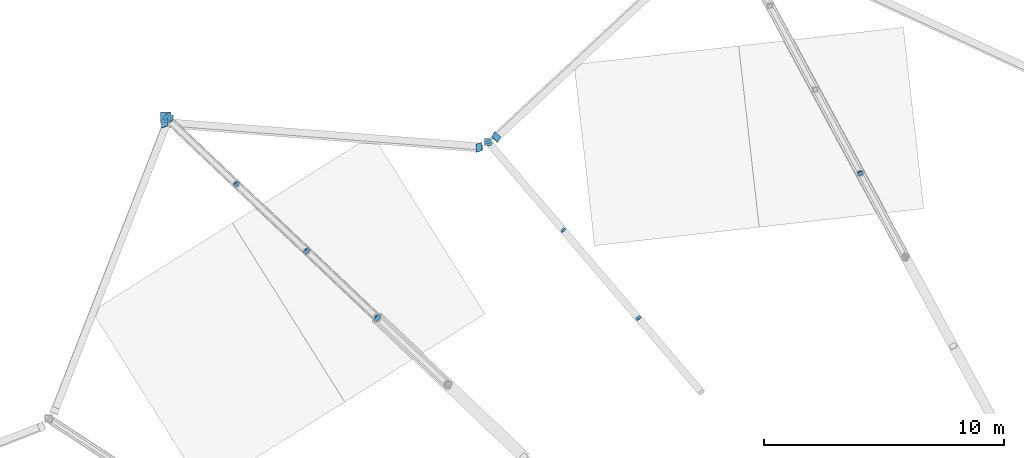
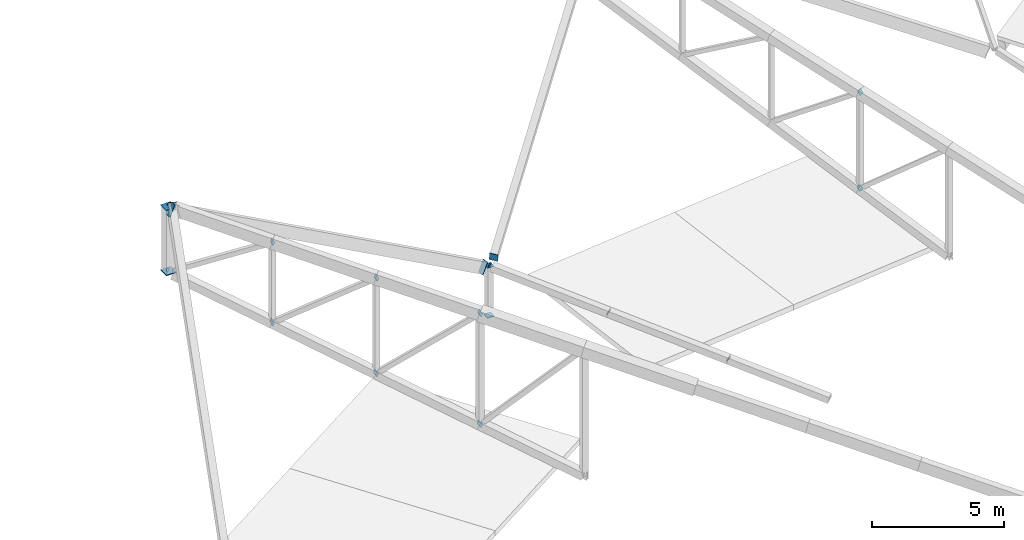
# One storey, part 167 of 188: 22 discrete accessories.
"""IFC4 building model written with IfcOpenShell, lengths in metres."""

from ifc_helpers import new_model, si_unit, direction, frame, origin, origin_2d, place, context, subcontext, project, spatial, rectangle, extrude, material, material_profile, profile_set, type_object, element, save


model = new_model("IFC4")

# Units and contexts
model_context = context("Model", 3, precision=1e-05, world=origin(), true_north=direction((0.0, 1.0)))
body_context = subcontext(model_context, "Body", "Model", "MODEL_VIEW")
ifc_project = project(units=[si_unit("LENGTHUNIT", "METRE"), si_unit("AREAUNIT", "SQUARE_METRE"), si_unit("VOLUMEUNIT", "CUBIC_METRE"), si_unit("PLANEANGLEUNIT", "RADIAN"), si_unit("MASSUNIT", "GRAM", prefix="KILO")], contexts=[model_context])

# Site, building, storey
site_placement = place(None, origin())
site = spatial("IfcSite", under=ifc_project, at=site_placement, CompositionType="ELEMENT")
building_placement = place(site_placement, origin())
building = spatial("IfcBuilding", under=site, at=building_placement, Name="Meseta Stadium", CompositionType="ELEMENT")
storey_placement = place(building_placement, frame((0.0, 0.0, 30.0)))
storey = spatial("IfcBuildingStorey", under=building, at=storey_placement, Name="ROOF", CompositionType="ELEMENT", Elevation=30.0)

# Discrete accessories
ifc_material_1 = material(Name="Steel S355", Category="steel")
ifc_material_profile_1 = material_profile(ifc_material_1, rectangle(XDim=0.179931640625, YDim=0.179931640625, at=origin_2d()), Name="PL 180x180")
ifc_profile_set_1 = profile_set([ifc_material_profile_1], Name="Steel S355")
discrete_accessory_type_1 = type_object("IfcDiscreteAccessoryType", Name="End plate 180x180x20", PredefinedType="ANCHORPLATE", material=ifc_profile_set_1)
for number, where, z_axis, x_axis, name in (
    (1, (-55.799560546875, 88.541748046875, 1.545654296875), (-0.510602919511, 0.595703406096, 0.620017830835), (-0.759256602365, -0.650791373456, 0.0), "End plate of ROOF TRUSS RT-23 diagonal"),
    (2, (-58.925537109375, 92.207275390625, 2.580810546875), (-0.535709697438, 0.620936240212, 0.572235358627), (-0.757156729179, -0.653233256547, 0.0), "End plate of ROOF TRUSS RT-23 diagonal"),
    (3, (-62.051513671875, 95.872802734375, 3.615966796875), (-0.535709697438, 0.620936240212, 0.572235358627), (-0.757156729179, -0.653233256547, 0.0), "End plate of ROOF TRUSS RT-23 diagonal"),
):
    element("IfcDiscreteAccessory", number, at=place(storey_placement, frame(where, z_axis=z_axis, x_axis=x_axis)), inside=storey, type_object=discrete_accessory_type_1, Name=name, PredefinedType="ANCHORPLATE", context=body_context, shape_type="SweptSolid", body=[
        extrude(rectangle(XDim=0.179931640625, YDim=0.179931640625, at=origin_2d()), origin(), (0.0, 0.0, 1.0), 0.02001953125),
    ])
ifc_material_2 = material(Name="Steel S355", Category="steel")
ifc_material_profile_2 = material_profile(ifc_material_2, rectangle(XDim=0.219970703125, YDim=0.219970703125, at=origin_2d()), Name="PL 220x220")
ifc_profile_set_2 = profile_set([ifc_material_profile_2], Name="Steel S355")
discrete_accessory_type_2 = type_object("IfcDiscreteAccessoryType", Name="End plate 220x220x20", PredefinedType="ANCHORPLATE", material=ifc_profile_set_2)
for number, where, z_axis, x_axis, name in (
    (4, (-46.5625, 94.5810546875, 2.56298828125), (-0.365419152851, 0.682115751988, -0.633393198274), (-0.881479970029, -0.472221412515, 0.0), "End plate of ROOF TRUSS RT-22 diagonal"),
    (5, (-46.554931640625, 94.566650390625, 7.014892578125), (-0.377431832286, 0.718338003382, -0.584410579023), (-0.885243475438, -0.465127927773, 0.0), "End plate of ROOF TRUSS RT-22 diagonal"),
):
    element("IfcDiscreteAccessory", number, at=place(storey_placement, frame(where, z_axis=z_axis, x_axis=x_axis)), inside=storey, type_object=discrete_accessory_type_2, Name=name, PredefinedType="ANCHORPLATE", context=body_context, shape_type="SweptSolid", body=[
        extrude(rectangle(XDim=0.219970703125, YDim=0.219970703125, at=origin_2d()), origin(), (0.0, 0.0, 1.0), 0.02001953125),
    ])
ifc_material_3 = material(Name="Steel S355", Category="steel")
ifc_material_profile_3 = material_profile(ifc_material_3, rectangle(XDim=0.239990234375, YDim=0.239990234375, at=origin_2d()), Name="PL 240x240")
ifc_profile_set_3 = profile_set([ifc_material_profile_3], Name="Steel S355")
discrete_accessory_type_3 = type_object("IfcDiscreteAccessoryType", Name="End plate 240x240x20", PredefinedType="ANCHORPLATE", material=ifc_profile_set_3)
for number, where, z_axis, x_axis, name in (
    (6, (-66.6669921875, 88.555419921875, 2.348876953125), (-0.515075774125, 0.478284647402, -0.711295116649), (-0.680451099367, -0.732793491626, 0.0), "End plate of ROOF TRUSS RT-24 diagonal"),
    (7, (-66.656005859375, 88.544921875, 7.474853515625), (-0.550461289559, 0.525996343357, -0.64832107437), (-0.690857771546, -0.722990691153, 0.0), "End plate of ROOF TRUSS RT-24 diagonal"),
):
    element("IfcDiscreteAccessory", number, at=place(storey_placement, frame(where, z_axis=z_axis, x_axis=x_axis)), inside=storey, type_object=discrete_accessory_type_3, Name=name, PredefinedType="ANCHORPLATE", context=body_context, shape_type="SweptSolid", body=[
        extrude(rectangle(XDim=0.239990234375, YDim=0.239990234375, at=origin_2d()), origin(), (0.0, 0.0, 1.0), 0.02001953125),
    ])
discrete_accessory_placement = place(storey_placement, frame((-69.602783203125, 91.339599609375, 4.04052734375), z_axis=(-0.555346605996, 0.531201101387, -0.639855872126), x_axis=(-0.691222645967, -0.722641857148, 0.0)))
element("IfcDiscreteAccessory", 8, at=discrete_accessory_placement, inside=storey, type_object=discrete_accessory_type_3, Name="End plate of ROOF TRUSS RT-24 diagonal", PredefinedType="ANCHORPLATE", context=body_context, shape_type="SweptSolid", body=[
    extrude(rectangle(XDim=0.239990234375, YDim=0.239990234375, at=origin_2d()), origin(), (0.0, 0.0, 1.0), 0.020263671875),
])
for number, where, z_axis, x_axis, name in (
    (9, (-69.5908203125, 91.328369140625, 8.460205078125), (-0.601646066092, 0.564810592658, -0.564810592658), (-0.684435908416, -0.729073032878, 0.0), "End plate of ROOF TRUSS RT-24 diagonal"),
    (10, (-72.538818359375, 94.1240234375, 5.73193359375), (-0.601555381629, 0.577002100746, -0.552448819863), (-0.692225183729, -0.721681574526, 0.0), "End plate of ROOF TRUSS RT-24 diagonal"),
):
    element("IfcDiscreteAccessory", number, at=place(storey_placement, frame(where, z_axis=z_axis, x_axis=x_axis)), inside=storey, type_object=discrete_accessory_type_3, Name=name, PredefinedType="ANCHORPLATE", context=body_context, shape_type="SweptSolid", body=[
        extrude(rectangle(XDim=0.239990234375, YDim=0.239990234375, at=origin_2d()), origin(), (0.0, 0.0, 1.0), 0.019775390625),
    ])
for number, where, z_axis, x_axis, name in (
    (11, (-72.525634765625, 94.11181640625, 9.4453125), (-0.655569641534, 0.607008927346, -0.449186606236), (-0.679408031498, -0.733760674018, 0.0), "End plate of ROOF TRUSS RT-24 diagonal"),
    (12, (-75.474609375, 96.908447265625, 7.423583984375), (-0.643714145309, 0.619423045486, -0.449385346725), (-0.693380371882, -0.720571759014, 0.0), "End plate of ROOF TRUSS RT-24 diagonal"),
):
    element("IfcDiscreteAccessory", number, at=place(storey_placement, frame(where, z_axis=z_axis, x_axis=x_axis)), inside=storey, type_object=discrete_accessory_type_3, Name=name, PredefinedType="ANCHORPLATE", context=body_context, shape_type="SweptSolid", body=[
        extrude(rectangle(XDim=0.239990234375, YDim=0.239990234375, at=origin_2d()), origin(), (0.0, 0.0, 1.0), 0.02001953125),
    ])
ifc_material_4 = material(Name="Steel S355", Category="steel")
ifc_material_profile_4 = material_profile(ifc_material_4, rectangle(XDim=0.2900390625, YDim=0.2900390625, at=origin_2d()), Name="PL 290x290")
ifc_profile_set_4 = profile_set([ifc_material_profile_4], Name="Steel S355")
discrete_accessory_type_4 = type_object("IfcDiscreteAccessoryType", Name="End plate 290x290x20", PredefinedType="ANCHORPLATE", material=ifc_profile_set_4)
for number, where, z_axis, x_axis, name in (
    (13, (-62.051513671875, 95.872802734375, 1.2958984375), (0.0, 0.0, 1.0), (1.0, 0.0, 0.0), "End plate of ROOF TRUSS RT-23 post"),
    (14, (-62.051513671875, 95.872802734375, 3.615966796875), (0.0, 0.0, 1.0), (1.0, 0.0, 0.0), "End plate of ROOF TRUSS RT-23 post"),
    (15, (-62.051513671875, 95.872802734375, 1.31591796875), (0.0, 0.0, 1.0), (1.0, 0.0, 0.0), "End plate of ROOF RIM POST RT-23"),
):
    element("IfcDiscreteAccessory", number, at=place(storey_placement, frame(where, z_axis=z_axis, x_axis=x_axis)), inside=storey, type_object=discrete_accessory_type_4, Name=name, PredefinedType="ANCHORPLATE", context=body_context, shape_type="SweptSolid", body=[
        extrude(rectangle(XDim=0.2900390625, YDim=0.2900390625, at=origin_2d()), origin(), (0.0, 0.0, 1.0), 0.02001953125),
    ])
ifc_material_5 = material(Name="Steel S355", Category="steel")
ifc_material_profile_5 = material_profile(ifc_material_5, rectangle(XDim=0.340087890625, YDim=0.5400390625, at=origin_2d()), Name="PL 340x540")
ifc_profile_set_5 = profile_set([ifc_material_profile_5], Name="Steel S355")
discrete_accessory_type_5 = type_object("IfcDiscreteAccessoryType", Name="End plate 340x540x20", PredefinedType="ANCHORPLATE", material=ifc_profile_set_5)
for number, where, z_axis, x_axis, name in (
    (16, (-61.717529296875, 96.091552734375, 3.7646484375), (-0.648563736756, -0.611852581845, -0.452770910566), (0.72706354881, -0.674031083807, -0.1306165918), "End plate of RIM RING BEAM 23"),
    (17, (-62.422119140625, 95.656494140625, 3.801025390625), (-0.890310108805, 0.060980144439, 0.451253068847), (0.011704597959, -0.987600304875, 0.15655235609), "End plate of RIM RING BEAM 24"),
    (18, (-75.520263671875, 96.667236328125, 10.4365234375), (-0.890310108805, 0.060980144439, 0.451253068847), (0.011704597959, -0.987600304875, 0.15655235609), "End plate of RIM RING BEAM 24"),
    (19, (-75.338134765625, 96.923583984375, 10.408203125), (-0.329317272719, -0.829391649812, -0.451286632986), (0.936736622214, -0.347027906003, -0.045783545717), "End plate of RIM RING BEAM 25"),
):
    element("IfcDiscreteAccessory", number, at=place(storey_placement, frame(where, z_axis=z_axis, x_axis=x_axis)), inside=storey, type_object=discrete_accessory_type_5, Name=name, PredefinedType="ANCHORPLATE", context=body_context, shape_type="SweptSolid", body=[
        extrude(rectangle(XDim=0.340087890625, YDim=0.5400390625, at=origin_2d()), origin(), (0.0, 0.0, 1.0), 0.02001953125),
    ])
ifc_material_6 = material(Name="Steel S355", Category="steel")
ifc_material_profile_6 = material_profile(ifc_material_6, rectangle(XDim=0.43994140625, YDim=0.43994140625, at=origin_2d()), Name="PL 440x440")
ifc_profile_set_6 = profile_set([ifc_material_profile_6], Name="Steel S355")
discrete_accessory_type_6 = type_object("IfcDiscreteAccessoryType", Name="End plate 440x440x20", PredefinedType="ANCHORPLATE", material=ifc_profile_set_6)
for number, where, z_axis, x_axis, name in (
    (20, (-75.474609375, 96.908447265625, 7.403564453125), (0.0, 0.0, 1.0), (1.0, 0.0, 0.0), "End plate of ROOF TRUSS RT-24 post"),
    (21, (-75.474609375, 96.908447265625, 10.423583984375), (0.0, 0.0, 1.0), (1.0, 0.0, 0.0), "End plate of ROOF TRUSS RT-24 post"),
    (22, (-75.474609375, 96.908447265625, 7.423583984375), (0.0, 0.0, 1.0), (1.0, 0.0, 0.0), "End plate of ROOF RIM POST RT-24"),
):
    element("IfcDiscreteAccessory", number, at=place(storey_placement, frame(where, z_axis=z_axis, x_axis=x_axis)), inside=storey, type_object=discrete_accessory_type_6, Name=name, PredefinedType="ANCHORPLATE", context=body_context, shape_type="SweptSolid", body=[
        extrude(rectangle(XDim=0.43994140625, YDim=0.43994140625, at=origin_2d()), origin(), (0.0, 0.0, 1.0), 0.02001953125),
    ])

save(model, "model.ifc")
